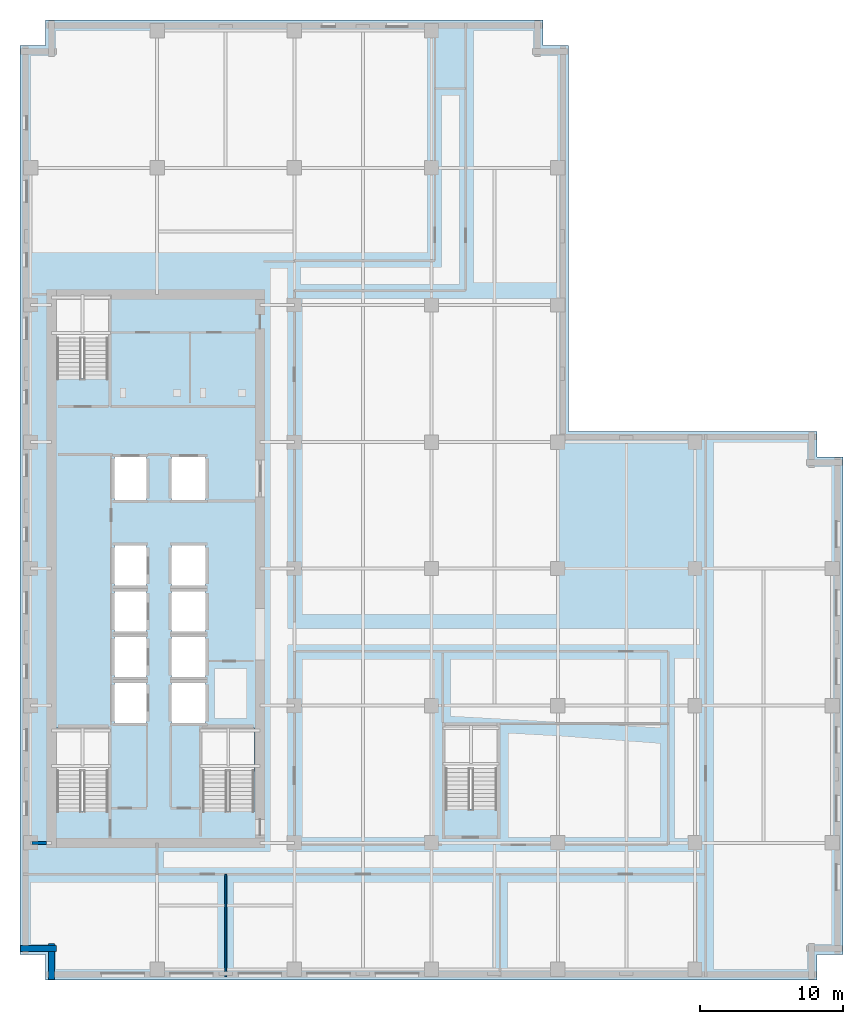
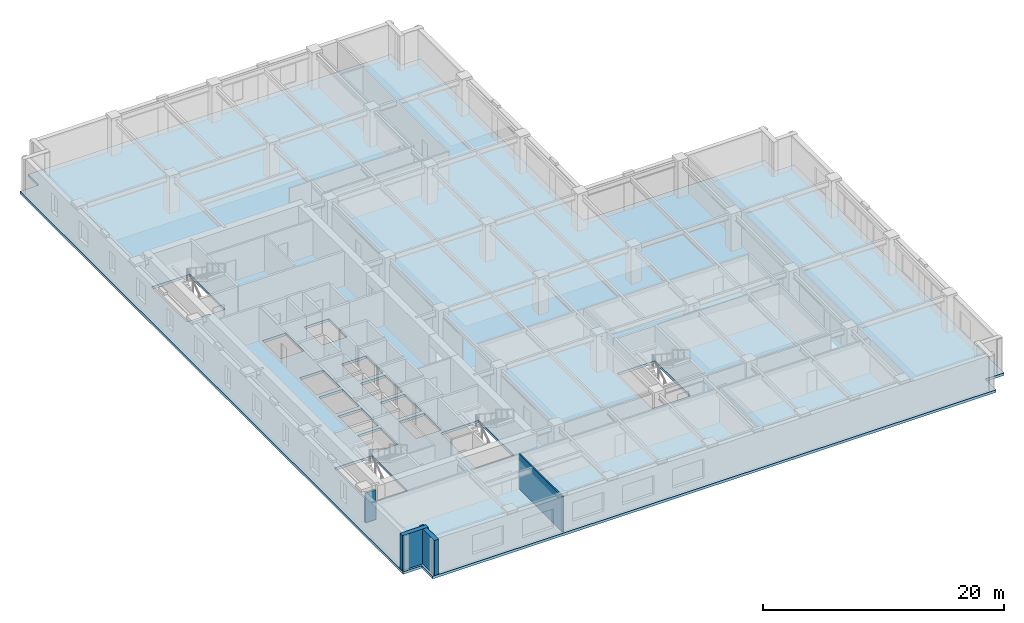
# One storey, part 3 of 12: 4 walls, 1 slab.
"""IFC4 building model written with IfcOpenShell, lengths in metres."""

import ifcopenshell
import ifcopenshell.guid

model = None  # the IFC model being written
_history = None  # IfcOwnerHistory: only IFC2X3 demands one
_inside = {}  # id of a spatial element -> (the spatial element, [elements in it])
_under = {}  # id of a project, library or spatial element -> (it, [spatial elements below it])
_declared = {}  # id of a project -> (the project, [libraries it declares])
_typed = {}  # id of a type object -> (the type object, [elements of that type])
_made_of = {}  # id of a material, layer set ... -> (it, [elements and type objects made of it])


def new_model(schema):
    """Start an empty IFC model of exactly this schema.

    Asked for "IFC4X3", IfcOpenShell would pick the latest addendum, in which some entities
    have other attributes; the version numbers below select the first issue.
    IFC2X3 requires an IfcOwnerHistory on every rooted entity: one is made here for all.
    """
    global model, _history
    if schema == "IFC4X3":
        model = ifcopenshell.file(schema_version=(4, 3, 0, 0))
    else:
        model = ifcopenshell.file(schema=schema)
    _inside.clear()
    _under.clear()
    _declared.clear()
    _typed.clear()
    _made_of.clear()
    _history = None
    if model.schema == "IFC2X3":
        org = make("IfcOrganization", Name="unknown")
        user = make(
            "IfcPersonAndOrganization",
            ThePerson=make("IfcPerson", FamilyName="unknown"),
            TheOrganization=org,
        )
        app = make(
            "IfcApplication",
            ApplicationDeveloper=org,
            Version="unknown",
            ApplicationFullName="unknown",
            ApplicationIdentifier="unknown",
        )
        _history = make(
            "IfcOwnerHistory",
            OwningUser=user,
            OwningApplication=app,
            ChangeAction="ADDED",
            CreationDate=0,
        )
    return model


def make(cls, **values):
    """One entity of the class cls with the attributes given. An attribute that is None is left unset."""
    return model.create_entity(
        cls, **{name: value for name, value in values.items() if value is not None}
    )


def rooted(cls, **values):
    """An entity with a GlobalId (a new one), such as an element, a storey or a relation."""
    return make(cls, GlobalId=ifcopenshell.guid.new(), OwnerHistory=_history, **values)


def si_unit(unit_type, name, prefix=None):
    """IfcSIUnit, for example si_unit("LENGTHUNIT", "METRE", prefix="MILLI")."""
    return make("IfcSIUnit", UnitType=unit_type, Prefix=prefix, Name=name)


def assignment(units):
    """IfcUnitAssignment: the units of a project."""
    return None if units is None else make("IfcUnitAssignment", Units=units)


def point(xyz):
    """IfcCartesianPoint."""
    return None if xyz is None else make("IfcCartesianPoint", Coordinates=xyz)


def direction(xyz):
    """IfcDirection."""
    return None if xyz is None else make("IfcDirection", DirectionRatios=xyz)


def frame(location, z_axis=None, x_axis=None):
    """IfcAxis2Placement3D, a coordinate frame: its origin and axes. An axis left out is left unset."""
    return make(
        "IfcAxis2Placement3D",
        Location=point(location),
        Axis=direction(z_axis),
        RefDirection=direction(x_axis),
    )


def frame_2d(location, x_axis=None):
    """IfcAxis2Placement2D, a coordinate frame in the plane: its origin and x axis."""
    return make(
        "IfcAxis2Placement2D", Location=point(location), RefDirection=direction(x_axis)
    )


def origin():
    """The frame at (0, 0, 0) with its axes left unset."""
    return frame((0.0, 0.0, 0.0))


def place(relative_to, where):
    """IfcLocalPlacement: puts the frame where relative to a parent placement (None: the world)."""
    return make(
        "IfcLocalPlacement", PlacementRelTo=relative_to, RelativePlacement=where
    )


def context(
    kind, dimensions, precision=None, world=None, true_north=None, identifier=None
):
    """IfcGeometricRepresentationContext, for example the 3D "Model" context."""
    return make(
        "IfcGeometricRepresentationContext",
        ContextIdentifier=identifier,
        ContextType=kind,
        CoordinateSpaceDimension=dimensions,
        Precision=precision,
        WorldCoordinateSystem=world,
        TrueNorth=true_north,
    )


def subcontext(parent, identifier, kind, view, scale=None):
    """IfcGeometricRepresentationSubContext, for example "Body" below "Model"."""
    return make(
        "IfcGeometricRepresentationSubContext",
        ContextIdentifier=identifier,
        ContextType=kind,
        ParentContext=parent,
        TargetScale=scale,
        TargetView=view,
    )


def project(units=None, contexts=None):
    """IfcProject with its units and contexts."""
    return rooted(
        "IfcProject",
        Name="project",
        RepresentationContexts=contexts,
        UnitsInContext=assignment(units),
    )


def spatial(cls, under=None, at=None, **own):
    """A site, building, storey or space (cls), placed at a placement, below another one or the project."""
    s = rooted(cls, ObjectPlacement=at, **own)
    if under is not None:
        _under.setdefault(under.id(), (under, []))[1].append(s)
    return s


def polyline(points):
    """IfcPolyline through the points."""
    return make("IfcPolyline", Points=[point(p) for p in points])


def profile(cls, at=None, kind="AREA", **sizes):
    """A parametric profile (cls). Its sizes go by their IFC names, for example OverallWidth=200.0."""
    return make(cls, ProfileType=kind, Position=at, **sizes)


def rectangle(**sizes):
    """IfcRectangleProfileDef."""
    return profile("IfcRectangleProfileDef", **sizes)


def outline(outer, holes=None, kind="AREA"):
    """IfcArbitraryClosedProfileDef: a profile drawn as a closed curve; with holes, ...WithVoids."""
    if holes is None:
        return make("IfcArbitraryClosedProfileDef", ProfileType=kind, OuterCurve=outer)
    return make(
        "IfcArbitraryProfileDefWithVoids",
        ProfileType=kind,
        OuterCurve=outer,
        InnerCurves=holes,
    )


def extrude(swept, where, along, depth):
    """IfcExtrudedAreaSolid: the profile swept, set in the frame where, extruded along a direction by depth."""
    return make(
        "IfcExtrudedAreaSolid",
        SweptArea=swept,
        Position=where,
        ExtrudedDirection=direction(along),
        Depth=depth,
    )


def shape(context_of_items, identifier, shape_type, items):
    """IfcShapeRepresentation: the items that make up one representation, for example the "Body"."""
    return make(
        "IfcShapeRepresentation",
        ContextOfItems=context_of_items,
        RepresentationIdentifier=identifier,
        RepresentationType=shape_type,
        Items=items,
    )


def material(Name=None, Category=None):
    """IfcMaterial."""
    return make("IfcMaterial", Name=Name, Category=Category)


def layer(
    of_material, thickness, ventilated=None, Name=None, Category=None, Priority=None
):
    """IfcMaterialLayer: one layer of a wall or slab, of a material (None: an air gap)."""
    return make(
        "IfcMaterialLayer",
        Material=of_material,
        LayerThickness=thickness,
        IsVentilated=ventilated,
        Name=Name,
        Category=Category,
        Priority=Priority,
    )


def layer_set(layers, Name=None):
    """IfcMaterialLayerSet."""
    return make("IfcMaterialLayerSet", MaterialLayers=layers, LayerSetName=Name)


def made_of(thing, what):
    """Note that an element or type object is made of a material, layer set ...; save() writes the relation."""
    if what is not None:
        _made_of.setdefault(what.id(), (what, []))[1].append(thing)
    return thing


def type_object(cls, material=None, **own):
    """A type object (cls), such as IfcWallType, which elements share."""
    return made_of(rooted(cls, **own), material)


def element(
    cls,
    number,
    at=None,
    inside=None,
    cuts=None,
    type_object=None,
    material=None,
    context=None,
    identifier="Body",
    shape_type=None,
    held_by="IfcProductDefinitionShape",
    body=None,
    shapes=None,
    **own,
):
    """One element of the class cls, such as IfcWall. Its Tag is "e" and its number.

    at: its placement. inside: the storey or other place that contains it. cuts: it is an
    opening in that element (IfcRelVoidsElement). A single representation is given by context,
    identifier, shape_type and body (its items); several are given by shapes. held_by: the class
    of the entity that holds the representations. save() writes the other relations.
    """
    e = rooted(cls, Tag="e%d" % number, ObjectPlacement=at, **own)
    if body is not None:
        shapes = [shape(context, identifier, shape_type, body)]
    if shapes is not None:
        e.Representation = make(held_by, Representations=shapes)
    if inside is not None:
        _inside.setdefault(inside.id(), (inside, []))[1].append(e)
    if cuts is not None:
        rooted(
            "IfcRelVoidsElement", RelatingBuildingElement=cuts, RelatedOpeningElement=e
        )
    if type_object is not None:
        _typed.setdefault(type_object.id(), (type_object, []))[1].append(e)
    return made_of(e, material)


def aggregate(whole, parts):
    """IfcRelAggregates: a whole, such as a stair, and the parts it consists of."""
    return rooted("IfcRelAggregates", RelatingObject=whole, RelatedObjects=parts)


def save(model, path):
    """Write the relations noted so far, then the file.

    IfcRelAggregates (storeys below a building ...), IfcRelContainedInSpatialStructure (elements
    in a storey), IfcRelDefinesByType, IfcRelAssociatesMaterial and IfcRelDeclares: one each for
    every whole, place, type object, material and project.
    """
    for whole, parts in _under.values():
        aggregate(whole, parts)
    for where, things in _inside.values():
        rooted(
            "IfcRelContainedInSpatialStructure",
            RelatedElements=things,
            RelatingStructure=where,
        )
    for kind, things in _typed.values():
        rooted("IfcRelDefinesByType", RelatedObjects=things, RelatingType=kind)
    for what, things in _made_of.values():
        rooted("IfcRelAssociatesMaterial", RelatedObjects=things, RelatingMaterial=what)
    for by, libraries in _declared.values():
        rooted("IfcRelDeclares", RelatingContext=by, RelatedDefinitions=libraries)
    model.write(path)


model = new_model("IFC4")

# Units and contexts
model_context = context("Model", 3, precision=1e-05, world=origin(), true_north=direction((0.0, 1.0)))
body_context = subcontext(model_context, "Body", "Model", "MODEL_VIEW")
ifc_project = project(units=[si_unit("LENGTHUNIT", "METRE"), si_unit("AREAUNIT", "SQUARE_METRE"), si_unit("VOLUMEUNIT", "CUBIC_METRE"), si_unit("PLANEANGLEUNIT", "RADIAN"), si_unit("MASSUNIT", "GRAM", prefix="KILO")], contexts=[model_context])

# Site, building, storey
site_placement = place(None, origin())
site = spatial("IfcSite", under=ifc_project, at=site_placement, CompositionType="ELEMENT")
building_placement = place(site_placement, origin())
building = spatial("IfcBuilding", under=site, at=building_placement, Name="Norrvale University Quadrangle", CompositionType="ELEMENT")
storey_placement = place(building_placement, frame((0.0, 0.0, 139.39990234375)))
storey = spatial("IfcBuildingStorey", under=building, at=storey_placement, Name="L35", CompositionType="ELEMENT", Elevation=139.39990234375)

# Slab
ifc_material_1 = material(Name="Concrete C40/50", Category="concrete")
ifc_layer_1 = layer(ifc_material_1, 0.260009765625, Name="Concrete C40/50")
ifc_layer_set_1 = layer_set([ifc_layer_1], Name="Concrete C40/50")
slab_type = type_object("IfcSlabType", Name="Slab Tower Typ 260", PredefinedType="FLOOR", material=ifc_layer_set_1)
slab_placement = place(storey_placement, frame((0.0, 0.0, -0.260009765625)))
element("IfcSlab", 1, at=slab_placement, inside=storey, type_object=slab_type, Name="Tower L35 Floor Slab", PredefinedType="FLOOR", context=body_context, shape_type="SweptSolid", body=[
    extrude(outline(polyline([(1.800048828125, 0.0), (55.800048828125, 0.0), (55.800048828125, 1.800048828125), (57.60009765625, 1.800048828125), (57.60009765625, 36.60009765625), (55.800048828125, 36.60009765625), (55.800048828125, 38.39990234375), (38.39990234375, 38.39990234375), (38.39990234375, 65.39990234375), (36.60009765625, 65.39990234375), (36.60009765625, 67.199951171875), (1.800048828125, 67.199951171875), (1.800048828125, 65.39990234375), (0.0, 65.39990234375), (0.0, 1.800048828125), (1.800048828125, 1.800048828125), (1.800048828125, 0.0)]), holes=[polyline([(2.550048828125, 11.81005859375), (6.199951171875, 11.81005859375), (6.199951171875, 17.64990234375), (2.550048828125, 17.64990234375), (2.550048828125, 11.81005859375)]), polyline([(2.550048828125, 42.110107421875), (6.199951171875, 42.110107421875), (6.199951171875, 47.949951171875), (2.550048828125, 47.949951171875), (2.550048828125, 42.110107421875)]), polyline([(12.75, 11.81005859375), (16.39990234375, 11.81005859375), (16.39990234375, 17.64990234375), (12.75, 17.64990234375), (12.75, 11.81005859375)]), polyline([(29.75, 11.9599609375), (33.39990234375, 11.9599609375), (33.39990234375, 17.800048828125), (29.75, 17.800048828125), (29.75, 11.9599609375)]), polyline([(6.60009765625, 18.0), (8.85009765625, 18.0), (8.85009765625, 20.800048828125), (6.60009765625, 20.800048828125), (6.60009765625, 18.0)]), polyline([(6.60009765625, 21.199951171875), (8.85009765625, 21.199951171875), (8.85009765625, 24.0), (6.60009765625, 24.0), (6.60009765625, 21.199951171875)]), polyline([(6.60009765625, 24.39990234375), (8.85009765625, 24.39990234375), (8.85009765625, 27.199951171875), (6.60009765625, 27.199951171875), (6.60009765625, 24.39990234375)]), polyline([(6.60009765625, 27.60009765625), (8.85009765625, 27.60009765625), (8.85009765625, 30.39990234375), (6.60009765625, 30.39990234375), (6.60009765625, 27.60009765625)]), polyline([(10.60009765625, 18.0), (13.0, 18.0), (13.0, 20.800048828125), (10.60009765625, 20.800048828125), (10.60009765625, 18.0)]), polyline([(10.60009765625, 21.199951171875), (13.0, 21.199951171875), (13.0, 24.0), (10.60009765625, 24.0), (10.60009765625, 21.199951171875)]), polyline([(10.60009765625, 24.39990234375), (13.0, 24.39990234375), (13.0, 27.199951171875), (10.60009765625, 27.199951171875), (10.60009765625, 24.39990234375)]), polyline([(10.60009765625, 27.60009765625), (13.0, 27.60009765625), (13.0, 30.39990234375), (10.60009765625, 30.39990234375), (10.60009765625, 27.60009765625)]), polyline([(6.60009765625, 33.60009765625), (8.85009765625, 33.60009765625), (8.85009765625, 36.60009765625), (6.60009765625, 36.60009765625), (6.60009765625, 33.60009765625)]), polyline([(10.60009765625, 33.60009765625), (13.0, 33.60009765625), (13.0, 36.60009765625), (10.60009765625, 36.60009765625), (10.60009765625, 33.60009765625)])]), origin(), (0.0, 0.0, 1.0), 0.260009765625),
])

# Walls
ifc_material_2 = material(Name="Buff Norman Clay Brick Masonry", Category="masonry")
ifc_layer_2 = layer(ifc_material_2, 0.419921875, Name="Buff Norman Clay Brick Masonry")
ifc_layer_set_2 = layer_set([ifc_layer_2], Name="Buff Norman Clay Brick Masonry")
wall_type_1 = type_object("IfcWallType", Name="Wall Buff Brick 420", PredefinedType="SOLIDWALL", material=ifc_layer_set_2)
for number, where, z_axis, x_axis, name in (
    (2, (0.0400390625, 2.18994140625, 0.0), (0.0, 0.0, 1.0), (1.0, 0.0, 0.0), "Exterior Brick Facade Wall L35-15.1"),
    (3, (2.18994140625, 2.5400390625, 0.0), (0.0, 0.0, 1.0), (0.0, -1.0, 0.0), "Exterior Brick Facade Wall L35-16.1"),
):
    element("IfcWall", number, at=place(storey_placement, frame(where, z_axis=z_axis, x_axis=x_axis)), inside=storey, type_object=wall_type_1, Name=name, PredefinedType="SOLIDWALL", context=body_context, shape_type="SweptSolid", body=[
        extrude(rectangle(XDim=2.5, YDim=0.419921875, at=frame_2d((1.25, 0.0))), origin(), (0.0, 0.0, 1.0), 3.5400390625),
    ])
ifc_material_3 = material(Name="Standard Academic Gypsum Partition")
ifc_layer_3 = layer(ifc_material_3, 0.125, Name="Standard Academic Gypsum Partition")
ifc_layer_set_3 = layer_set([ifc_layer_3], Name="Standard Academic Gypsum Partition")
wall_type_2 = type_object("IfcWallType", Name="Wall Gypsum Academic 125", PredefinedType="PARTITIONING", material=ifc_layer_set_3)
wall_1_placement = place(storey_placement, frame((14.39990234375, 0.219970703125, 0.0), z_axis=(0.0, 0.0, 1.0), x_axis=(0.0, 1.0, 0.0)))
element("IfcWall", 4, at=wall_1_placement, inside=storey, type_object=wall_type_2, Name="Interior Partition WL-L35-SP01", PredefinedType="PARTITIONING", context=body_context, shape_type="SweptSolid", body=[
    extrude(rectangle(XDim=7.179931640625, YDim=0.125, at=frame_2d((3.58984375, 0.0))), origin(), (0.0, 0.0, 1.0), 3.5400390625),
])
ifc_material_4 = material(Name="Concrete Blockwork 20 MPa Rated Wall", Category="masonry")
ifc_layer_4 = layer(ifc_material_4, 0.199951171875, Name="Concrete Blockwork 20 MPa Rated Wall")
ifc_layer_set_4 = layer_set([ifc_layer_4], Name="Concrete Blockwork 20 MPa Rated Wall")
wall_type_3 = type_object("IfcWallType", Name="Wall Lobby 200", PredefinedType="SOLIDWALL", material=ifc_layer_set_4)
wall_2_placement = place(storey_placement, frame((0.85009765625, 9.60009765625, 0.0), z_axis=(0.0, 0.0, 1.0), x_axis=(1.0, 0.0, 0.0)))
element("IfcWall", 5, at=wall_2_placement, inside=storey, type_object=wall_type_3, Name="Interior Partition WL-L35-CWRET-S", PredefinedType="SOLIDWALL", context=body_context, shape_type="SweptSolid", body=[
    extrude(rectangle(XDim=0.994873046875, YDim=0.199951171875, at=frame_2d((0.49755859375, 0.0))), origin(), (0.0, 0.0, 1.0), 2.99609375),
])

save(model, "model.ifc")
